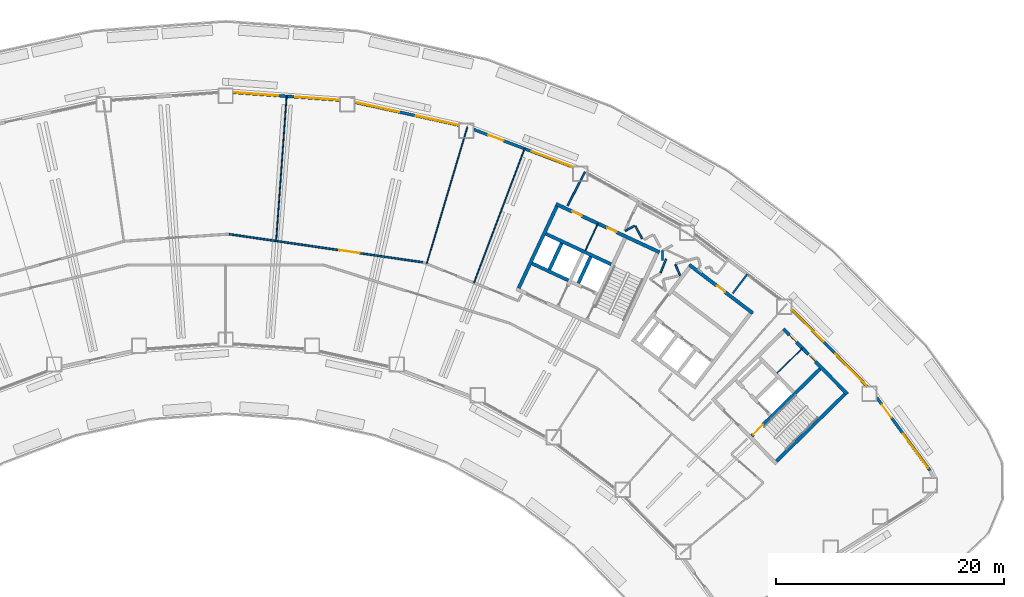
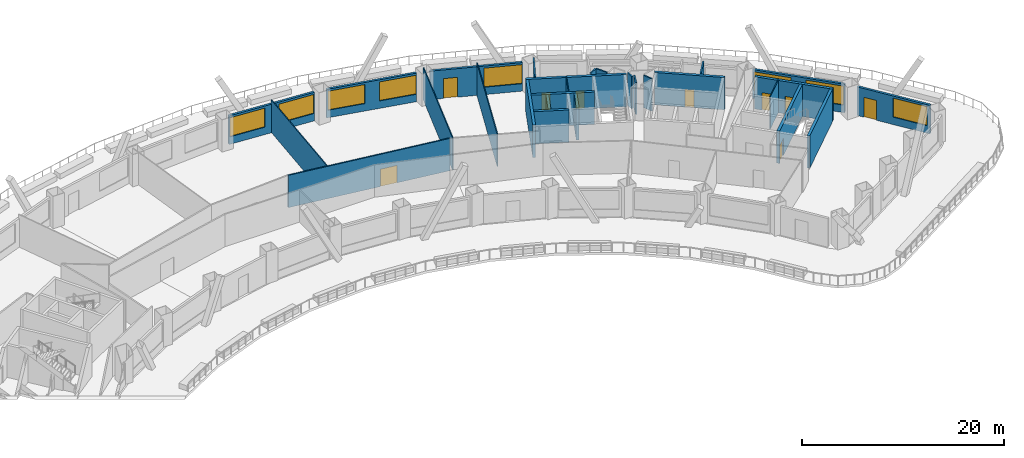
# One storey, part 7 of 12: 28 walls, 9 doors, 8 windows, 17 openings.
"""IFC4 building model written with IfcOpenShell, lengths in metres."""

from ifc_helpers import new_model, si_unit, direction, frame, frame_2d, origin, place, context, subcontext, project, spatial, rectangle, extrude, material, layer, layer_set, type_object, element, fill, save


model = new_model("IFC4")

# Units and contexts
model_context = context("Model", 3, precision=1e-05, world=origin(), true_north=direction((0.0, 1.0)))
body_context = subcontext(model_context, "Body", "Model", "MODEL_VIEW")
ifc_project = project(units=[si_unit("LENGTHUNIT", "METRE"), si_unit("AREAUNIT", "SQUARE_METRE"), si_unit("VOLUMEUNIT", "CUBIC_METRE"), si_unit("PLANEANGLEUNIT", "RADIAN"), si_unit("MASSUNIT", "GRAM", prefix="KILO")], contexts=[model_context])

# Site, building, storey
site_placement = place(None, origin())
site = spatial("IfcSite", under=ifc_project, at=site_placement, CompositionType="ELEMENT")
building_placement = place(site_placement, origin())
building = spatial("IfcBuilding", under=site, at=building_placement, Name="Tuul Gate Civic Tower", CompositionType="ELEMENT")
storey_placement = place(building_placement, frame((0.0, 0.0, 31.5)))
storey = spatial("IfcBuildingStorey", under=building, at=storey_placement, Name="Level 06", CompositionType="ELEMENT", Elevation=31.5)

# Wall, openings, doors
ifc_material_1 = material(Name="Concrete C50/60", Category="concrete")
ifc_layer_1 = layer(ifc_material_1, 0.300048828125)
ifc_layer_set_1 = layer_set([ifc_layer_1], Name="Concrete C50/60")
wall_type_1 = type_object("IfcWallType", Name="Core wall C50/60", PredefinedType="SHEAR", material=ifc_layer_set_1)
wall_1_placement = place(storey_placement, frame((54.43798828125, -12.23779296875, 0.0), z_axis=(0.0, 0.0, 1.0), x_axis=(-0.700021979774, 0.714121297703, 0.0)))
wall_1 = element("IfcWall", 1, at=wall_1_placement, inside=storey, type_object=wall_type_1, Name="Core wall", PredefinedType="SHEAR", context=body_context, shape_type="SweptSolid", body=[
    extrude(rectangle(XDim=8.0, YDim=0.300048828125, at=frame_2d((4.0, 0.0))), origin(), (0.0, 0.0, 1.0), 3.89990234375),
])
opening_1_placement = place(wall_1_placement, frame((3.987548828125, 0.0, 0.0)))
opening_1 = element("IfcOpeningElement", 2, at=opening_1_placement, cuts=wall_1, Name="Opening A-D22", PredefinedType="OPENING", context=body_context, shape_type="SweptSolid", body=[
    extrude(rectangle(XDim=0.89990234375, YDim=2.10009765625, at=frame_2d((0.449951171875, 1.050048828125))), frame((0.0, 0.16015625, 0.0), z_axis=(0.0, -1.0, 0.0), x_axis=(1.0, 0.0, 0.0)), (0.0, 0.0, 1.0), 0.320068359375),
])
opening_2_placement = place(wall_1_placement, frame((6.362548828125, 0.0, 0.0)))
opening_2 = element("IfcOpeningElement", 3, at=opening_2_placement, cuts=wall_1, Name="Opening A-D23", PredefinedType="OPENING", context=body_context, shape_type="SweptSolid", body=[
    extrude(rectangle(XDim=0.89990234375, YDim=2.10009765625, at=frame_2d((0.449951171875, 1.050048828125))), frame((0.0, 0.16015625, 0.0), z_axis=(0.0, -1.0, 0.0), x_axis=(1.0, 0.0, 0.0)), (0.0, 0.0, 1.0), 0.320068359375),
])
ifc_material_2 = material(Name="Timber door leaf", Category="wood")
door_type_1 = type_object("IfcDoorType", Name="Door D09", OperationType="NOTDEFINED", PredefinedType="DOOR", material=ifc_material_2)
door_1_placement = place(opening_1_placement, origin())
door_1 = element("IfcDoor", 4, at=door_1_placement, inside=storey, type_object=door_type_1, Name="Door A-D22", OperationType="SINGLE_SWING_LEFT", OverallHeight=2.10009765625, OverallWidth=0.89990234375, PredefinedType="DOOR", context=body_context, shape_type="SweptSolid", body=[
    extrude(rectangle(XDim=0.89990234375, YDim=2.10009765625, at=frame_2d((0.449951171875, 1.050048828125))), frame((0.0, 0.02490234375, 0.0), z_axis=(0.0, -1.0, 0.0), x_axis=(1.0, 0.0, 0.0)), (0.0, 0.0, 1.0), 0.050048828125),
])
fill(opening_1, door_1)
door_2_placement = place(opening_2_placement, origin())
door_2 = element("IfcDoor", 5, at=door_2_placement, inside=storey, type_object=door_type_1, Name="Door A-D23", OperationType="SINGLE_SWING_LEFT", OverallHeight=2.10009765625, OverallWidth=0.89990234375, PredefinedType="DOOR", context=body_context, shape_type="SweptSolid", body=[
    extrude(rectangle(XDim=0.89990234375, YDim=2.10009765625, at=frame_2d((0.449951171875, 1.050048828125))), frame((0.0, 0.02490234375, 0.0), z_axis=(0.0, -1.0, 0.0), x_axis=(1.0, 0.0, 0.0)), (0.0, 0.0, 1.0), 0.050048828125),
])
fill(opening_2, door_2)

# Wall
wall_2_placement = place(storey_placement, frame((48.227294921875, -18.115966796875, 0.0), z_axis=(0.0, 0.0, 1.0), x_axis=(0.714105315431, 0.700038283577, 0.0)))
element("IfcWall", 6, at=wall_2_placement, inside=storey, type_object=wall_type_1, Name="Core wall", PredefinedType="SHEAR", context=body_context, shape_type="SweptSolid", body=[
    extrude(rectangle(XDim=8.400146484375, YDim=0.300048828125, at=frame_2d((4.2001953125, 0.0))), origin(), (0.0, 0.0, 1.0), 3.89990234375),
])

# Wall, opening, door
wall_3_placement = place(storey_placement, frame((46.05712890625, -15.902099609375, 0.0), z_axis=(0.0, 0.0, 1.0), x_axis=(0.714134086973, 0.700008932674, 0.0)))
wall_3 = element("IfcWall", 7, at=wall_3_placement, inside=storey, type_object=wall_type_1, Name="Core wall", PredefinedType="SHEAR", context=body_context, shape_type="SweptSolid", body=[
    extrude(rectangle(XDim=8.400146484375, YDim=0.300048828125, at=frame_2d((4.2001953125, 0.0))), origin(), (0.0, 0.0, 1.0), 3.89990234375),
])
opening_3_placement = place(wall_3_placement, frame((0.199951171875, 0.0, 0.0)))
opening_3 = element("IfcOpeningElement", 8, at=opening_3_placement, cuts=wall_3, Name="Opening SD-ST-3", PredefinedType="OPENING", context=body_context, shape_type="SweptSolid", body=[
    extrude(rectangle(XDim=1.199951171875, YDim=2.10009765625, at=frame_2d((0.60009765625, 1.050048828125))), frame((0.0, 0.16015625, 0.0), z_axis=(0.0, -1.0, 0.0), x_axis=(1.0, 0.0, 0.0)), (0.0, 0.0, 1.0), 0.320068359375),
])
ifc_material_3 = material(Name="Steel", Category="steel")
door_type_2 = type_object("IfcDoorType", Name="Stair door", OperationType="NOTDEFINED", PredefinedType="DOOR", material=ifc_material_3)
door_3_placement = place(opening_3_placement, origin())
door_3 = element("IfcDoor", 9, at=door_3_placement, inside=storey, type_object=door_type_2, Name="Stair door ST-3", OperationType="SINGLE_SWING_LEFT", OverallHeight=2.10009765625, OverallWidth=1.199951171875, PredefinedType="DOOR", context=body_context, shape_type="SweptSolid", body=[
    extrude(rectangle(XDim=1.199951171875, YDim=2.10009765625, at=frame_2d((0.60009765625, 1.050048828125))), frame((0.0, 0.02490234375, 0.0), z_axis=(0.0, -1.0, 0.0), x_axis=(1.0, 0.0, 0.0)), (0.0, 0.0, 1.0), 0.050048828125),
])
fill(opening_3, door_3)

# Walls
wall_4_placement = place(storey_placement, frame((30.0078125, -2.2734375, 0.0), z_axis=(0.0, 0.0, 1.0), x_axis=(-0.90630071767, 0.422633421716, 0.0)))
element("IfcWall", 10, at=wall_4_placement, inside=storey, type_object=wall_type_1, Name="Core wall", PredefinedType="SHEAR", context=body_context, shape_type="SweptSolid", body=[
    extrude(rectangle(XDim=3.5, YDim=0.300048828125, at=frame_2d((1.75, 0.0))), origin(), (0.0, 0.0, 1.0), 3.89990234375),
])
wall_5_placement = place(storey_placement, frame((33.75, -0.873779296875, 0.0), z_axis=(0.0, 0.0, 1.0), x_axis=(-0.906300917592, 0.422632992999, 0.0)))
element("IfcWall", 11, at=wall_5_placement, inside=storey, type_object=wall_type_1, Name="Core wall", PredefinedType="SHEAR", context=body_context, shape_type="SweptSolid", body=[
    extrude(rectangle(XDim=6.300048828125, YDim=0.300048828125, at=frame_2d((3.14990234375, 0.0))), origin(), (0.0, 0.0, 1.0), 3.89990234375),
])

# Wall, openings, doors
wall_6_placement = place(storey_placement, frame((37.993408203125, 0.181884765625, 0.0), z_axis=(0.0, 0.0, 1.0), x_axis=(-0.906310338845, 0.422612789327, 0.0)))
wall_6 = element("IfcWall", 12, at=wall_6_placement, inside=storey, type_object=wall_type_1, Name="Core wall", PredefinedType="SHEAR", context=body_context, shape_type="SweptSolid", body=[
    extrude(rectangle(XDim=9.999755859375, YDim=0.300048828125, at=frame_2d((5.0, 0.0))), origin(), (0.0, 0.0, 1.0), 3.89990234375),
])
opening_4_placement = place(wall_6_placement, frame((4.14990234375, 0.0, 0.0)))
opening_4 = element("IfcOpeningElement", 13, at=opening_4_placement, cuts=wall_6, Name="Opening A-D24", PredefinedType="OPENING", context=body_context, shape_type="SweptSolid", body=[
    extrude(rectangle(XDim=0.89990234375, YDim=2.10009765625, at=frame_2d((0.449951171875, 1.050048828125))), frame((0.0, 0.16015625, 0.0), z_axis=(0.0, -1.0, 0.0), x_axis=(1.0, 0.0, 0.0)), (0.0, 0.0, 1.0), 0.320068359375),
])
opening_5_placement = place(wall_6_placement, frame((7.52490234375, 0.0, 0.0)))
opening_5 = element("IfcOpeningElement", 14, at=opening_5_placement, cuts=wall_6, Name="Opening A-D25", PredefinedType="OPENING", context=body_context, shape_type="SweptSolid", body=[
    extrude(rectangle(XDim=0.89990234375, YDim=2.10009765625, at=frame_2d((0.449951171875, 1.050048828125))), frame((0.0, 0.16015625, 0.0), z_axis=(0.0, -1.0, 0.0), x_axis=(1.0, 0.0, 0.0)), (0.0, 0.0, 1.0), 0.320068359375),
])
door_4_placement = place(opening_4_placement, origin())
door_4 = element("IfcDoor", 15, at=door_4_placement, inside=storey, type_object=door_type_1, Name="Door A-D24", OperationType="SINGLE_SWING_LEFT", OverallHeight=2.10009765625, OverallWidth=0.89990234375, PredefinedType="DOOR", context=body_context, shape_type="SweptSolid", body=[
    extrude(rectangle(XDim=0.89990234375, YDim=2.10009765625, at=frame_2d((0.449951171875, 1.050048828125))), frame((0.0, 0.02490234375, 0.0), z_axis=(0.0, -1.0, 0.0), x_axis=(1.0, 0.0, 0.0)), (0.0, 0.0, 1.0), 0.050048828125),
])
fill(opening_4, door_4)
door_5_placement = place(opening_5_placement, origin())
door_5 = element("IfcDoor", 16, at=door_5_placement, inside=storey, type_object=door_type_1, Name="Door A-D25", OperationType="SINGLE_SWING_RIGHT", OverallHeight=2.10009765625, OverallWidth=0.89990234375, PredefinedType="DOOR", context=body_context, shape_type="SweptSolid", body=[
    extrude(rectangle(XDim=0.89990234375, YDim=2.10009765625, at=frame_2d((0.449951171875, 1.050048828125))), frame((0.0, 0.02490234375, 0.0), z_axis=(0.0, -1.0, 0.0), x_axis=(1.0, 0.0, 0.0)), (0.0, 0.0, 1.0), 0.050048828125),
])
fill(opening_5, door_5)

# Walls
for number, where, z_axis, x_axis, name in (
    (17, (30.886962890625, -2.517822265625, 0.0), (0.0, 0.0, 1.0), (0.422612891016, 0.906310291427, 0.0), "Core wall"),
    (18, (28.349365234375, -1.33447265625, 0.0), (0.0, 0.0, 1.0), (0.422612891016, 0.906310291427, 0.0), "Core wall"),
):
    element("IfcWall", number, at=place(storey_placement, frame(where, z_axis=z_axis, x_axis=x_axis)), inside=storey, type_object=wall_type_1, Name=name, PredefinedType="SHEAR", context=body_context, shape_type="SweptSolid", body=[
        extrude(rectangle(XDim=2.550048828125, YDim=0.300048828125, at=frame_2d((1.27490234375, 0.0))), origin(), (0.0, 0.0, 1.0), 3.89990234375),
    ])
wall_7_placement = place(storey_placement, frame((25.66455078125, -2.951416015625, 0.0), z_axis=(0.0, 0.0, 1.0), x_axis=(0.422582604137, 0.906324413596, 0.0)))
element("IfcWall", 19, at=wall_7_placement, inside=storey, type_object=wall_type_1, Name="Core wall", PredefinedType="SHEAR", context=body_context, shape_type="SweptSolid", body=[
    extrude(rectangle(XDim=7.89990234375, YDim=0.300048828125, at=frame_2d((3.949951171875, 0.0))), origin(), (0.0, 0.0, 1.0), 3.89990234375),
])
ifc_material_4 = material(Name="Gypsum board partition")
ifc_layer_2 = layer(ifc_material_4, 0.14990234375)
ifc_layer_set_2 = layer_set([ifc_layer_2], Name="Gypsum board partition")
wall_type_2 = type_object("IfcWallType", Name="Corridor wall P150", PredefinedType="PARTITIONING", material=ifc_layer_set_2)
wall_8_placement = place(storey_placement, frame((44.392333984375, -3.429443359375, 0.0), z_axis=(0.0, 0.0, 1.0), x_axis=(0.605822613047, 0.795599749573, 0.0)))
element("IfcWall", 20, at=wall_8_placement, inside=storey, type_object=wall_type_2, Name="p011", PredefinedType="PARTITIONING", context=body_context, shape_type="SweptSolid", body=[
    extrude(rectangle(XDim=2.13427734375, YDim=0.14990234375, at=frame_2d((1.067138671875, 0.0))), origin(), (0.0, 0.0, 1.0), 3.89990234375),
])
wall_9_placement = place(storey_placement, frame((38.24365234375, 0.294189453125, 0.0), z_axis=(0.0, 0.0, 1.0), x_axis=(0.007667129397, -0.999970607131, 0.0)))
element("IfcWall", 21, at=wall_9_placement, inside=storey, type_object=wall_type_2, Name="p020", PredefinedType="PARTITIONING", context=body_context, shape_type="SweptSolid", body=[
    extrude(rectangle(XDim=0.827880859375, YDim=0.14990234375, at=frame_2d((0.4140625, 0.0))), origin(), (0.0, 0.0, 1.0), 3.89990234375),
])
wall_10_placement = place(storey_placement, frame((35.87109375, 2.476806640625, 0.0), z_axis=(0.0, 0.0, 1.0), x_axis=(0.475121766524, -0.87992005715, 0.0)))
element("IfcWall", 22, at=wall_10_placement, inside=storey, type_object=wall_type_2, Name="p022", PredefinedType="PARTITIONING", context=body_context, shape_type="SweptSolid", body=[
    extrude(rectangle(XDim=1.253173828125, YDim=0.14990234375, at=frame_2d((0.62646484375, 0.0))), origin(), (0.0, 0.0, 1.0), 3.89990234375),
])
wall_11_placement = place(storey_placement, frame((34.99462890625, 2.060546875, 0.0), z_axis=(0.0, 0.0, 1.0), x_axis=(0.879787612681, 0.475366970428, 0.0)))
element("IfcWall", 23, at=wall_11_placement, inside=storey, type_object=wall_type_2, Name="p024", PredefinedType="PARTITIONING", context=body_context, shape_type="SweptSolid", body=[
    extrude(rectangle(XDim=0.918701171875, YDim=0.14990234375, at=frame_2d((0.45947265625, 0.0))), origin(), (0.0, 0.0, 1.0), 3.89990234375),
])
wall_12_placement = place(storey_placement, frame((29.946044921875, 4.2666015625, 0.0), z_axis=(0.0, 0.0, 1.0), x_axis=(0.459621571137, 0.888114863824, 0.0)))
element("IfcWall", 24, at=wall_12_placement, inside=storey, type_object=wall_type_2, Name="p030", PredefinedType="PARTITIONING", context=body_context, shape_type="SweptSolid", body=[
    extrude(rectangle(XDim=3.309814453125, YDim=0.14990234375, at=frame_2d((1.65478515625, 0.0))), origin(), (0.0, 0.0, 1.0), 3.89990234375),
])

# Wall, opening, door
wall_13_placement = place(storey_placement, frame((0.26708984375, 1.7724609375, 0.0), z_axis=(0.0, 0.0, 1.0), x_axis=(0.989607418225, -0.143795541637, 0.0)))
wall_13 = element("IfcWall", 25, at=wall_13_placement, inside=storey, type_object=wall_type_2, Name="p034", PredefinedType="PARTITIONING", context=body_context, shape_type="SweptSolid", body=[
    extrude(rectangle(XDim=17.20068359375, YDim=0.14990234375, at=frame_2d((8.600341796875, 0.0))), origin(), (0.0, 0.0, 1.0), 3.89990234375),
])
opening_6_placement = place(wall_13_placement, frame((9.80419921875, 0.0, 0.0)))
opening_6 = element("IfcOpeningElement", 26, at=opening_6_placement, cuts=wall_13, Name="Opening A-D06", PredefinedType="OPENING", context=body_context, shape_type="SweptSolid", body=[
    extrude(rectangle(XDim=1.800048828125, YDim=2.10009765625, at=frame_2d((0.89990234375, 1.050048828125))), frame((0.0, 0.0849609375, 0.0), z_axis=(0.0, -1.0, 0.0), x_axis=(1.0, 0.0, 0.0)), (0.0, 0.0, 1.0), 0.169921875),
])
ifc_material_5 = material(Name="Timber door leaf, double", Category="wood")
door_type_3 = type_object("IfcDoorType", Name="Door D18", OperationType="DOUBLE_DOOR_SINGLE_SWING", PredefinedType="DOOR", material=ifc_material_5)
door_6_placement = place(opening_6_placement, origin())
door_6 = element("IfcDoor", 27, at=door_6_placement, inside=storey, type_object=door_type_3, Name="Door A-D06", OperationType="DOUBLE_DOOR_SINGLE_SWING", OverallHeight=2.10009765625, OverallWidth=1.800048828125, PredefinedType="DOOR", context=body_context, shape_type="SweptSolid", body=[
    extrude(rectangle(XDim=1.800048828125, YDim=2.10009765625, at=frame_2d((0.89990234375, 1.050048828125))), frame((0.0, 0.02490234375, 0.0), z_axis=(0.0, -1.0, 0.0), x_axis=(1.0, 0.0, 0.0)), (0.0, 0.0, 1.0), 0.050048828125),
])
fill(opening_6, door_6)

# Walls
wall_14_placement = place(storey_placement, frame((38.0810546875, -1.615234375, 0.0), z_axis=(0.0, 0.0, 1.0), x_axis=(0.378302544381, 0.92568201069, 0.0)))
element("IfcWall", 28, at=wall_14_placement, inside=storey, type_object=wall_type_2, Name="p069", PredefinedType="PARTITIONING", context=body_context, shape_type="SweptSolid", body=[
    extrude(rectangle(XDim=1.295166015625, YDim=0.14990234375, at=frame_2d((0.6474609375, 0.0))), origin(), (0.0, 0.0, 1.0), 3.89990234375),
])
wall_15_placement = place(storey_placement, frame((39.378662109375, -0.8837890625, 0.0), z_axis=(0.0, 0.0, 1.0), x_axis=(0.391219535686, -0.920297383946, 0.0)))
element("IfcWall", 29, at=wall_15_placement, inside=storey, type_object=wall_type_2, Name="p073", PredefinedType="PARTITIONING", context=body_context, shape_type="SweptSolid", body=[
    extrude(rectangle(XDim=1.04833984375, YDim=0.14990234375, at=frame_2d((0.524169921875, 0.0))), origin(), (0.0, 0.0, 1.0), 3.89990234375),
])

# Wall, openings, door, window
ifc_material_6 = material(Name="Precast concrete C40/50", Category="concrete")
ifc_layer_3 = layer(ifc_material_6, 0.25)
ifc_layer_set_3 = layer_set([ifc_layer_3], Name="Precast concrete C40/50")
wall_type_3 = type_object("IfcWallType", Name="External wall", PredefinedType="STANDARD", material=ifc_layer_set_3)
wall_16_placement = place(storey_placement, frame((61.68896484375, -18.94677734375, 0.0), z_axis=(0.0, 0.0, 1.0), x_axis=(-0.589806928208, 0.807544294412, 0.0)))
wall_16 = element("IfcWall", 30, at=wall_16_placement, inside=storey, type_object=wall_type_3, Name="External wall", PredefinedType="STANDARD", context=body_context, shape_type="SweptSolid", body=[
    extrude(rectangle(XDim=7.912841796875, YDim=0.25, at=frame_2d((3.95654296875, 0.0))), origin(), (0.0, 0.0, 1.0), 3.449951171875),
])
opening_7_placement = place(wall_16_placement, frame((0.30078125, 0.0, 0.89990234375)))
opening_7 = element("IfcOpeningElement", 31, at=opening_7_placement, cuts=wall_16, Name="Opening W21", PredefinedType="OPENING", context=body_context, shape_type="SweptSolid", body=[
    extrude(rectangle(XDim=3.699951171875, YDim=2.300048828125, at=frame_2d((1.85009765625, 1.14990234375))), frame((0.0, 0.135009765625, 0.0), z_axis=(0.0, -1.0, 0.0), x_axis=(1.0, 0.0, 0.0)), (0.0, 0.0, 1.0), 0.27001953125),
])
opening_8_placement = place(wall_16_placement, frame((5.751953125, 0.0, 0.0)))
opening_8 = element("IfcOpeningElement", 32, at=opening_8_placement, cuts=wall_16, Name="Opening TD", PredefinedType="OPENING", context=body_context, shape_type="SweptSolid", body=[
    extrude(rectangle(XDim=1.39990234375, YDim=2.39990234375, at=frame_2d((0.699951171875, 1.199951171875))), frame((0.0, 0.135009765625, 0.0), z_axis=(0.0, -1.0, 0.0), x_axis=(1.0, 0.0, 0.0)), (0.0, 0.0, 1.0), 0.27001953125),
])
ifc_material_7 = material(Name="Glazed aluminium", Category="aluminium")
door_type_4 = type_object("IfcDoorType", Name="Terrace door", OperationType="DOUBLE_DOOR_SINGLE_SWING", PredefinedType="DOOR", material=ifc_material_7)
door_7_placement = place(opening_8_placement, frame((1.39990234375, 0.0, 0.0), z_axis=(0.0, 0.0, 1.0), x_axis=(-1.0, 0.0, 0.0)))
door_7 = element("IfcDoor", 33, at=door_7_placement, inside=storey, type_object=door_type_4, Name="Terrace door", OperationType="DOUBLE_DOOR_SINGLE_SWING", OverallHeight=2.39990234375, OverallWidth=1.39990234375, PredefinedType="DOOR", context=body_context, shape_type="SweptSolid", body=[
    extrude(rectangle(XDim=1.39990234375, YDim=2.39990234375, at=frame_2d((0.699951171875, 1.199951171875))), frame((0.0, 0.02490234375, 0.0), z_axis=(0.0, -1.0, 0.0), x_axis=(1.0, 0.0, 0.0)), (0.0, 0.0, 1.0), 0.050048828125),
])
fill(opening_8, door_7)
ifc_material_8 = material(Name="Glass", Category="glass")
window_type_1 = type_object("IfcWindowType", Name="Window W21 3700 x 2300", PartitioningType="SINGLE_PANEL", PredefinedType="WINDOW", material=ifc_material_8)
window_1_placement = place(opening_7_placement, origin())
window_1 = element("IfcWindow", 34, at=window_1_placement, inside=storey, type_object=window_type_1, Name="Window", OverallHeight=2.300048828125, OverallWidth=3.699951171875, PartitioningType="SINGLE_PANEL", PredefinedType="WINDOW", context=body_context, shape_type="SweptSolid", body=[
    extrude(rectangle(XDim=3.699951171875, YDim=2.300048828125, at=frame_2d((1.85009765625, 1.14990234375))), frame((0.0, 0.030029296875, 0.0), z_axis=(0.0, -1.0, 0.0), x_axis=(1.0, 0.0, 0.0)), (0.0, 0.0, 1.0), 0.06005859375),
])
fill(opening_7, window_1)

# Wall, openings, windows
wall_17_placement = place(storey_placement, frame((56.18896484375, -11.56689453125, 0.0), z_axis=(0.0, 0.0, 1.0), x_axis=(-0.699994476854, 0.714148256578, 0.0)))
wall_17 = element("IfcWall", 35, at=wall_17_placement, inside=storey, type_object=wall_type_3, Name="External wall", PredefinedType="STANDARD", context=body_context, shape_type="SweptSolid", body=[
    extrude(rectangle(XDim=9.487060546875, YDim=0.25, at=frame_2d((4.74365234375, 0.0))), origin(), (0.0, 0.0, 1.0), 3.449951171875),
])
opening_9_placement = place(wall_17_placement, frame((0.135498046875, 0.0, 0.89990234375)))
opening_9 = element("IfcOpeningElement", 36, at=opening_9_placement, cuts=wall_17, Name="Opening W22", PredefinedType="OPENING", context=body_context, shape_type="SweptSolid", body=[
    extrude(rectangle(XDim=3.85009765625, YDim=2.300048828125, at=frame_2d((1.925048828125, 1.14990234375))), frame((0.0, 0.135009765625, 0.0), z_axis=(0.0, -1.0, 0.0), x_axis=(1.0, 0.0, 0.0)), (0.0, 0.0, 1.0), 0.27001953125),
])
opening_10_placement = place(wall_17_placement, frame((5.5068359375, 0.0, 0.89990234375)))
opening_10 = element("IfcOpeningElement", 37, at=opening_10_placement, cuts=wall_17, Name="Opening W22", PredefinedType="OPENING", context=body_context, shape_type="SweptSolid", body=[
    extrude(rectangle(XDim=3.85009765625, YDim=2.300048828125, at=frame_2d((1.925048828125, 1.14990234375))), frame((0.0, 0.135009765625, 0.0), z_axis=(0.0, -1.0, 0.0), x_axis=(1.0, 0.0, 0.0)), (0.0, 0.0, 1.0), 0.27001953125),
])
ifc_material_9 = material(Name="Glass", Category="glass")
window_type_2 = type_object("IfcWindowType", Name="Window W22 3850 x 2300", PartitioningType="SINGLE_PANEL", PredefinedType="WINDOW", material=ifc_material_9)
window_2_placement = place(opening_9_placement, origin())
window_2 = element("IfcWindow", 38, at=window_2_placement, inside=storey, type_object=window_type_2, Name="Window", OverallHeight=2.300048828125, OverallWidth=3.85009765625, PartitioningType="SINGLE_PANEL", PredefinedType="WINDOW", context=body_context, shape_type="SweptSolid", body=[
    extrude(rectangle(XDim=3.85009765625, YDim=2.300048828125, at=frame_2d((1.925048828125, 1.14990234375))), frame((0.0, 0.030029296875, 0.0), z_axis=(0.0, -1.0, 0.0), x_axis=(1.0, 0.0, 0.0)), (0.0, 0.0, 1.0), 0.06005859375),
])
fill(opening_9, window_2)
window_3_placement = place(opening_10_placement, origin())
window_3 = element("IfcWindow", 39, at=window_3_placement, inside=storey, type_object=window_type_2, Name="Window", OverallHeight=2.300048828125, OverallWidth=3.85009765625, PartitioningType="SINGLE_PANEL", PredefinedType="WINDOW", context=body_context, shape_type="SweptSolid", body=[
    extrude(rectangle(XDim=3.85009765625, YDim=2.300048828125, at=frame_2d((1.925048828125, 1.14990234375))), frame((0.0, 0.030029296875, 0.0), z_axis=(0.0, -1.0, 0.0), x_axis=(1.0, 0.0, 0.0)), (0.0, 0.0, 1.0), 0.06005859375),
])
fill(opening_10, window_3)

# Wall, openings, door, window
wall_18_placement = place(storey_placement, frame((30.4140625, 7.6455078125, 0.0), z_axis=(0.0, 0.0, 1.0), x_axis=(-0.93537723485, 0.353651563724, 0.0)))
wall_18 = element("IfcWall", 40, at=wall_18_placement, inside=storey, type_object=wall_type_3, Name="External wall", PredefinedType="STANDARD", context=body_context, shape_type="SweptSolid", body=[
    extrude(rectangle(XDim=9.287109375, YDim=0.25, at=frame_2d((4.6435546875, 0.0))), origin(), (0.0, 0.0, 1.0), 3.449951171875),
])
opening_11_placement = place(wall_18_placement, frame((0.0458984375, 0.0, 0.89990234375)))
opening_11 = element("IfcOpeningElement", 41, at=opening_11_placement, cuts=wall_18, Name="Opening W100", PredefinedType="OPENING", context=body_context, shape_type="SweptSolid", body=[
    extrude(rectangle(XDim=3.800048828125, YDim=2.300048828125, at=frame_2d((1.89990234375, 1.14990234375))), frame((0.0, 0.135009765625, 0.0), z_axis=(0.0, -1.0, 0.0), x_axis=(1.0, 0.0, 0.0)), (0.0, 0.0, 1.0), 0.27001953125),
])
opening_12_placement = place(wall_18_placement, frame((6.5068359375, 0.0, 0.0)))
opening_12 = element("IfcOpeningElement", 42, at=opening_12_placement, cuts=wall_18, Name="Opening TD", PredefinedType="OPENING", context=body_context, shape_type="SweptSolid", body=[
    extrude(rectangle(XDim=1.39990234375, YDim=2.39990234375, at=frame_2d((0.699951171875, 1.199951171875))), frame((0.0, 0.135009765625, 0.0), z_axis=(0.0, -1.0, 0.0), x_axis=(1.0, 0.0, 0.0)), (0.0, 0.0, 1.0), 0.27001953125),
])
door_8_placement = place(opening_12_placement, frame((1.39990234375, 0.0, 0.0), z_axis=(0.0, 0.0, 1.0), x_axis=(-1.0, 0.0, 0.0)))
door_8 = element("IfcDoor", 43, at=door_8_placement, inside=storey, type_object=door_type_4, Name="Terrace door", OperationType="DOUBLE_DOOR_SINGLE_SWING", OverallHeight=2.39990234375, OverallWidth=1.39990234375, PredefinedType="DOOR", context=body_context, shape_type="SweptSolid", body=[
    extrude(rectangle(XDim=1.39990234375, YDim=2.39990234375, at=frame_2d((0.699951171875, 1.199951171875))), frame((0.0, 0.02490234375, 0.0), z_axis=(0.0, -1.0, 0.0), x_axis=(1.0, 0.0, 0.0)), (0.0, 0.0, 1.0), 0.050048828125),
])
fill(opening_12, door_8)
ifc_material_10 = material(Name="Glass", Category="glass")
window_type_3 = type_object("IfcWindowType", Name="Window W100 3800 x 2300", PartitioningType="SINGLE_PANEL", PredefinedType="WINDOW", material=ifc_material_10)
window_4_placement = place(opening_11_placement, origin())
window_4 = element("IfcWindow", 44, at=window_4_placement, inside=storey, type_object=window_type_3, Name="Window", OverallHeight=2.300048828125, OverallWidth=3.800048828125, PartitioningType="SINGLE_PANEL", PredefinedType="WINDOW", context=body_context, shape_type="SweptSolid", body=[
    extrude(rectangle(XDim=3.800048828125, YDim=2.300048828125, at=frame_2d((1.89990234375, 1.14990234375))), frame((0.0, 0.030029296875, 0.0), z_axis=(0.0, -1.0, 0.0), x_axis=(1.0, 0.0, 0.0)), (0.0, 0.0, 1.0), 0.06005859375),
])
fill(opening_11, window_4)

# Wall, openings, windows
wall_19_placement = place(storey_placement, frame((20.427001953125, 11.304443359375, 0.0), z_axis=(0.0, 0.0, 1.0), x_axis=(-0.97654219172, 0.215326142841, 0.0)))
wall_19 = element("IfcWall", 45, at=wall_19_placement, inside=storey, type_object=wall_type_3, Name="External wall", PredefinedType="STANDARD", context=body_context, shape_type="SweptSolid", body=[
    extrude(rectangle(XDim=9.34716796875, YDim=0.25, at=frame_2d((4.673583984375, 0.0))), origin(), (0.0, 0.0, 1.0), 3.449951171875),
])
opening_13_placement = place(wall_19_placement, frame((0.04296875, 0.0, 0.89990234375)))
opening_13 = element("IfcOpeningElement", 46, at=opening_13_placement, cuts=wall_19, Name="Opening W100", PredefinedType="OPENING", context=body_context, shape_type="SweptSolid", body=[
    extrude(rectangle(XDim=3.800048828125, YDim=2.300048828125, at=frame_2d((1.89990234375, 1.14990234375))), frame((0.0, 0.135009765625, 0.0), z_axis=(0.0, -1.0, 0.0), x_axis=(1.0, 0.0, 0.0)), (0.0, 0.0, 1.0), 0.27001953125),
])
opening_14_placement = place(wall_19_placement, frame((5.363037109375, 0.0, 0.89990234375)))
opening_14 = element("IfcOpeningElement", 47, at=opening_14_placement, cuts=wall_19, Name="Opening W22", PredefinedType="OPENING", context=body_context, shape_type="SweptSolid", body=[
    extrude(rectangle(XDim=3.85009765625, YDim=2.300048828125, at=frame_2d((1.925048828125, 1.14990234375))), frame((0.0, 0.135009765625, 0.0), z_axis=(0.0, -1.0, 0.0), x_axis=(1.0, 0.0, 0.0)), (0.0, 0.0, 1.0), 0.27001953125),
])
window_5_placement = place(opening_13_placement, origin())
window_5 = element("IfcWindow", 48, at=window_5_placement, inside=storey, type_object=window_type_3, Name="Window", OverallHeight=2.300048828125, OverallWidth=3.800048828125, PartitioningType="SINGLE_PANEL", PredefinedType="WINDOW", context=body_context, shape_type="SweptSolid", body=[
    extrude(rectangle(XDim=3.800048828125, YDim=2.300048828125, at=frame_2d((1.89990234375, 1.14990234375))), frame((0.0, 0.030029296875, 0.0), z_axis=(0.0, -1.0, 0.0), x_axis=(1.0, 0.0, 0.0)), (0.0, 0.0, 1.0), 0.06005859375),
])
fill(opening_13, window_5)
window_6_placement = place(opening_14_placement, origin())
window_6 = element("IfcWindow", 49, at=window_6_placement, inside=storey, type_object=window_type_2, Name="Window", OverallHeight=2.300048828125, OverallWidth=3.85009765625, PartitioningType="SINGLE_PANEL", PredefinedType="WINDOW", context=body_context, shape_type="SweptSolid", body=[
    extrude(rectangle(XDim=3.85009765625, YDim=2.300048828125, at=frame_2d((1.925048828125, 1.14990234375))), frame((0.0, 0.030029296875, 0.0), z_axis=(0.0, -1.0, 0.0), x_axis=(1.0, 0.0, 0.0)), (0.0, 0.0, 1.0), 0.06005859375),
])
fill(opening_14, window_6)

wall_20_placement = place(storey_placement, frame((9.9990234375, 13.50048828125, 0.0), z_axis=(0.0, 0.0, 1.0), x_axis=(-0.997388413682, 0.072224318983, 0.0)))
wall_20 = element("IfcWall", 50, at=wall_20_placement, inside=storey, type_object=wall_type_3, Name="External wall", PredefinedType="STANDARD", context=body_context, shape_type="SweptSolid", body=[
    extrude(rectangle(XDim=9.37353515625, YDim=0.25, at=frame_2d((4.686767578125, 0.0))), origin(), (0.0, 0.0, 1.0), 3.449951171875),
])
opening_15_placement = place(wall_20_placement, frame((0.052734375, 0.0, 0.89990234375)))
opening_15 = element("IfcOpeningElement", 51, at=opening_15_placement, cuts=wall_20, Name="Opening W22", PredefinedType="OPENING", context=body_context, shape_type="SweptSolid", body=[
    extrude(rectangle(XDim=3.85009765625, YDim=2.300048828125, at=frame_2d((1.925048828125, 1.14990234375))), frame((0.0, 0.135009765625, 0.0), z_axis=(0.0, -1.0, 0.0), x_axis=(1.0, 0.0, 0.0)), (0.0, 0.0, 1.0), 0.27001953125),
])
opening_16_placement = place(wall_20_placement, frame((5.423828125, 0.0, 0.89990234375)))
opening_16 = element("IfcOpeningElement", 52, at=opening_16_placement, cuts=wall_20, Name="Opening W22", PredefinedType="OPENING", context=body_context, shape_type="SweptSolid", body=[
    extrude(rectangle(XDim=3.85009765625, YDim=2.300048828125, at=frame_2d((1.925048828125, 1.14990234375))), frame((0.0, 0.135009765625, 0.0), z_axis=(0.0, -1.0, 0.0), x_axis=(1.0, 0.0, 0.0)), (0.0, 0.0, 1.0), 0.27001953125),
])
window_7_placement = place(opening_15_placement, origin())
window_7 = element("IfcWindow", 53, at=window_7_placement, inside=storey, type_object=window_type_2, Name="Window", OverallHeight=2.300048828125, OverallWidth=3.85009765625, PartitioningType="SINGLE_PANEL", PredefinedType="WINDOW", context=body_context, shape_type="SweptSolid", body=[
    extrude(rectangle(XDim=3.85009765625, YDim=2.300048828125, at=frame_2d((1.925048828125, 1.14990234375))), frame((0.0, 0.030029296875, 0.0), z_axis=(0.0, -1.0, 0.0), x_axis=(1.0, 0.0, 0.0)), (0.0, 0.0, 1.0), 0.06005859375),
])
fill(opening_15, window_7)
window_8_placement = place(opening_16_placement, origin())
window_8 = element("IfcWindow", 54, at=window_8_placement, inside=storey, type_object=window_type_2, Name="Window", OverallHeight=2.300048828125, OverallWidth=3.85009765625, PartitioningType="SINGLE_PANEL", PredefinedType="WINDOW", context=body_context, shape_type="SweptSolid", body=[
    extrude(rectangle(XDim=3.85009765625, YDim=2.300048828125, at=frame_2d((1.925048828125, 1.14990234375))), frame((0.0, 0.030029296875, 0.0), z_axis=(0.0, -1.0, 0.0), x_axis=(1.0, 0.0, 0.0)), (0.0, 0.0, 1.0), 0.06005859375),
])
fill(opening_16, window_8)

# Wall, opening, door
ifc_material_11 = material(Name="Concrete C40/50", Category="concrete")
ifc_layer_4 = layer(ifc_material_11, 0.300048828125)
ifc_layer_set_4 = layer_set([ifc_layer_4], Name="Concrete C40/50")
wall_type_4 = type_object("IfcWallType", Name="Lift shaft wall C40/50", PredefinedType="STANDARD", material=ifc_layer_set_4)
wall_21_placement = place(storey_placement, frame((46.1591796875, -5.1533203125, 0.0), z_axis=(0.0, 0.0, 1.0), x_axis=(-0.795579811045, 0.605848796531, 0.0)))
wall_21 = element("IfcWall", 55, at=wall_21_placement, inside=storey, type_object=wall_type_4, Name="Shaft wall", PredefinedType="STANDARD", context=body_context, shape_type="SweptSolid", body=[
    extrude(rectangle(XDim=7.0, YDim=0.300048828125, at=frame_2d((3.5, 0.0))), origin(), (0.0, 0.0, 1.0), 3.89990234375),
])
opening_17_placement = place(wall_21_placement, frame((3.050048828125, 0.0, 0.0)))
opening_17 = element("IfcOpeningElement", 56, at=opening_17_placement, cuts=wall_21, Name="Opening A-D21", PredefinedType="OPENING", context=body_context, shape_type="SweptSolid", body=[
    extrude(rectangle(XDim=0.89990234375, YDim=2.10009765625, at=frame_2d((0.449951171875, 1.050048828125))), frame((0.0, 0.16015625, 0.0), z_axis=(0.0, -1.0, 0.0), x_axis=(1.0, 0.0, 0.0)), (0.0, 0.0, 1.0), 0.320068359375),
])
door_9_placement = place(opening_17_placement, origin())
door_9 = element("IfcDoor", 57, at=door_9_placement, inside=storey, type_object=door_type_1, Name="Door A-D21", OperationType="SINGLE_SWING_LEFT", OverallHeight=2.10009765625, OverallWidth=0.89990234375, PredefinedType="DOOR", context=body_context, shape_type="SweptSolid", body=[
    extrude(rectangle(XDim=0.89990234375, YDim=2.10009765625, at=frame_2d((0.449951171875, 1.050048828125))), frame((0.0, 0.02490234375, 0.0), z_axis=(0.0, -1.0, 0.0), x_axis=(1.0, 0.0, 0.0)), (0.0, 0.0, 1.0), 0.050048828125),
])
fill(opening_17, door_9)

# Walls
ifc_material_12 = material(Name="Gypsum board partition")
ifc_layer_5 = layer(ifc_material_12, 0.10009765625)
ifc_layer_set_5 = layer_set([ifc_layer_5], Name="Gypsum board partition")
wall_type_5 = type_object("IfcWallType", Name="Partition P100", PredefinedType="PARTITIONING", material=ifc_layer_set_5)
wall_22_placement = place(storey_placement, frame((21.743896484375, -2.49951171875, 0.0), z_axis=(0.0, 0.0, 1.0), x_axis=(0.353710117954, 0.935355094313, 0.0)))
element("IfcWall", 58, at=wall_22_placement, inside=storey, type_object=wall_type_5, Name="p028", PredefinedType="PARTITIONING", context=body_context, shape_type="SweptSolid", body=[
    extrude(rectangle(XDim=12.560791015625, YDim=0.10009765625, at=frame_2d((6.2802734375, 0.0))), origin(), (0.0, 0.0, 1.0), 3.89990234375),
])
wall_23_placement = place(storey_placement, frame((17.607421875, -0.829345703125, 0.0), z_axis=(0.0, 0.0, 1.0), x_axis=(0.285219188741, 0.95846231766, 0.0)))
element("IfcWall", 59, at=wall_23_placement, inside=storey, type_object=wall_type_5, Name="p032", PredefinedType="PARTITIONING", context=body_context, shape_type="SweptSolid", body=[
    extrude(rectangle(XDim=12.493896484375, YDim=0.10009765625, at=frame_2d((6.2470703125, 0.0))), origin(), (0.0, 0.0, 1.0), 3.89990234375),
])
wall_24_placement = place(storey_placement, frame((4.430419921875, 1.16748046875, 0.0), z_axis=(0.0, 0.0, 1.0), x_axis=(0.072254595432, 0.997386220799, 0.0)))
element("IfcWall", 60, at=wall_24_placement, inside=storey, type_object=wall_type_5, Name="p033", PredefinedType="PARTITIONING", context=body_context, shape_type="SweptSolid", body=[
    extrude(rectangle(XDim=12.7080078125, YDim=0.10009765625, at=frame_2d((6.35400390625, 0.0))), origin(), (0.0, 0.0, 1.0), 3.89990234375),
])
wall_25_placement = place(storey_placement, frame((48.28662109375, -10.390869140625, 0.0), z_axis=(0.0, 0.0, 1.0), x_axis=(0.714159293908, 0.699983216173, 0.0)))
element("IfcWall", 61, at=wall_25_placement, inside=storey, type_object=wall_type_5, Name="bE1-BAND-0", PredefinedType="PARTITIONING", context=body_context, shape_type="SweptSolid", body=[
    extrude(rectangle(XDim=3.099853515625, YDim=0.10009765625, at=frame_2d((1.5498046875, 0.0))), origin(), (0.0, 0.0, 1.0), 3.89990234375),
])
wall_26_placement = place(storey_placement, frame((31.502197265625, 0.33984375, 0.0), z_axis=(0.0, 0.0, 1.0), x_axis=(0.422556439746, 0.906336612539, 0.0)))
element("IfcWall", 62, at=wall_26_placement, inside=storey, type_object=wall_type_5, Name="bE3-BAND-0", PredefinedType="PARTITIONING", context=body_context, shape_type="SweptSolid", body=[
    extrude(rectangle(XDim=2.599853515625, YDim=0.10009765625, at=frame_2d((1.2998046875, 0.0))), origin(), (0.0, 0.0, 1.0), 3.89990234375),
])

save(model, "model.ifc")
